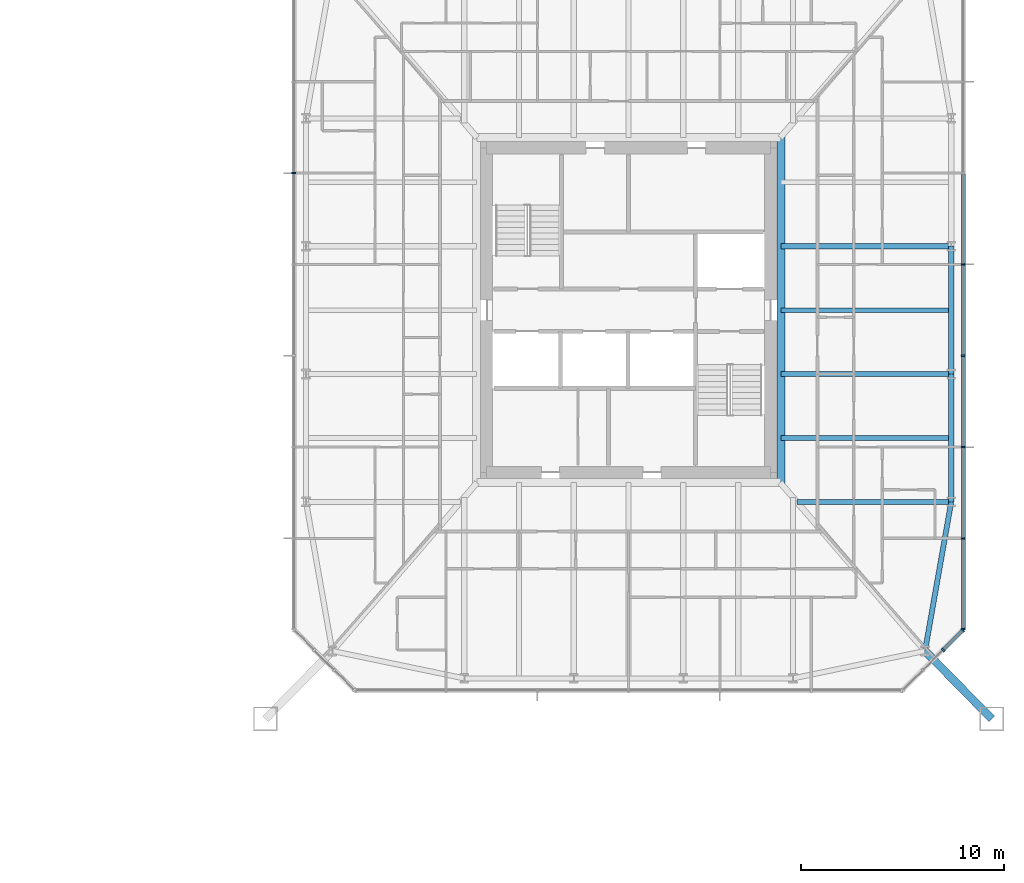
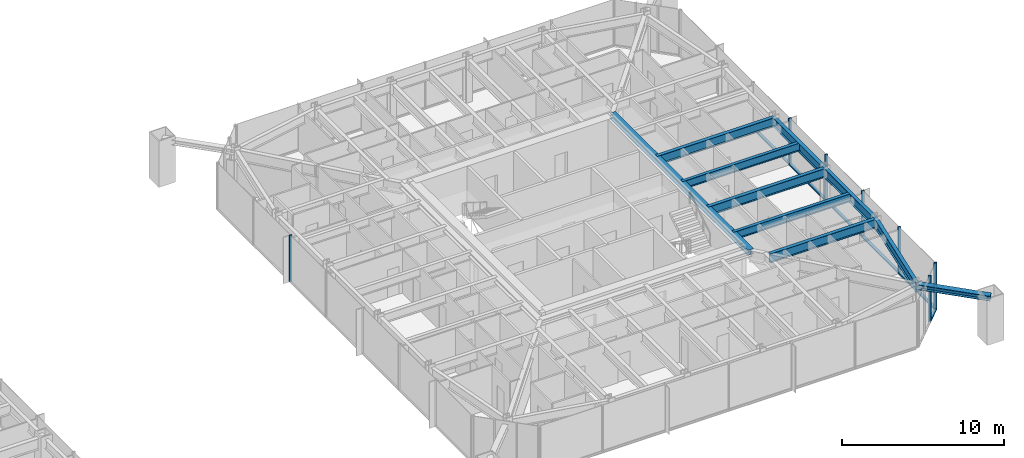
# One storey, part 9 of 26: 15 members, 9 beams, 3 elements without a shape of their own.
"""IFC4 building model written with IfcOpenShell, lengths in metres."""

from ifc_helpers import new_model, si_unit, direction, frame, origin, origin_2d, place, context, subcontext, project, spatial, rectangle, i_section, extrude, material, material_profile, profile_set, type_object, element, aggregate, save


model = new_model("IFC4")

# Units and contexts
model_context = context("Model", 3, precision=1e-05, world=origin(), true_north=direction((0.0, 1.0)))
body_context = subcontext(model_context, "Body", "Model", "MODEL_VIEW")
ifc_project = project(units=[si_unit("LENGTHUNIT", "METRE"), si_unit("AREAUNIT", "SQUARE_METRE"), si_unit("VOLUMEUNIT", "CUBIC_METRE"), si_unit("PLANEANGLEUNIT", "RADIAN"), si_unit("MASSUNIT", "GRAM", prefix="KILO")], contexts=[model_context])

# Site, building, storey
site_placement = place(None, origin())
site = spatial("IfcSite", under=ifc_project, at=site_placement, CompositionType="ELEMENT")
building_placement = place(site_placement, origin())
building = spatial("IfcBuilding", under=site, at=building_placement, Name="Iwan Alto Co-Living Towers", CompositionType="ELEMENT")
storey_placement = place(building_placement, frame((0.0, 0.0, 18.5)))
storey = spatial("IfcBuildingStorey", under=building, at=storey_placement, Name="L04", CompositionType="ELEMENT", Elevation=18.5)

# Curtain wall, members
ifc_material_1 = material(Name="Bronze aluminium unitised frame", Category="aluminium")
curtain_wall_type_1 = type_object("IfcCurtainWallType", Name="CURTAIN WALL CW-C", PredefinedType="NOTDEFINED", material=ifc_material_1)
curtain_wall_1_placement = place(storey_placement, origin())
curtain_wall_1 = element("IfcCurtainWall", 1, at=curtain_wall_1_placement, inside=storey, type_object=curtain_wall_type_1, Name="T2 curtain wall E L04", PredefinedType="NOTDEFINED")
ifc_material_2 = material(Name="Aluminium 6063-T6 bronze anodised", Category="aluminium")
ifc_material_profile_1 = material_profile(ifc_material_2, rectangle(XDim=0.199951171875, YDim=0.080078125, at=origin_2d()), Name="AL 80X200")
ifc_profile_set_1 = profile_set([ifc_material_profile_1], Name="Aluminium 6063-T6 bronze anodised")
member_type_1 = type_object("IfcMemberType", Name="CW-C MULLION 80X200", PredefinedType="MULLION", material=ifc_profile_set_1)
member_1_placement = place(storey_placement, frame((79.5, -15.7099609375, 0.0), z_axis=(0.0, 0.0, 1.0), x_axis=(-1.0, 0.0, 0.0)))
member_1 = element("IfcMember", 2, at=member_1_placement, type_object=member_type_1, Name="CW-C mullion 1", PredefinedType="MULLION", context=body_context, shape_type="SweptSolid", body=[
    extrude(rectangle(XDim=0.199951171875, YDim=0.080078125, at=origin_2d()), origin(), (0.0, 0.0, 1.0), 3.5),
])
member_2_placement = place(storey_placement, frame((79.5, -11.25, 0.0), z_axis=(0.0, 0.0, 1.0), x_axis=(-1.0, 0.0, 0.0)))
member_2 = element("IfcMember", 3, at=member_2_placement, type_object=member_type_1, Name="CW-C mullion 2", PredefinedType="MULLION", context=body_context, shape_type="SweptSolid", body=[
    extrude(rectangle(XDim=0.199951171875, YDim=0.080078125, at=origin_2d()), origin(), (0.0, 0.0, 1.0), 3.5),
])
member_3_placement = place(storey_placement, frame((79.5, -6.75, 0.0), z_axis=(0.0, 0.0, 1.0), x_axis=(-1.0, 0.0, 0.0)))
member_3 = element("IfcMember", 4, at=member_3_placement, type_object=member_type_1, Name="CW-C mullion 3", PredefinedType="MULLION", context=body_context, shape_type="SweptSolid", body=[
    extrude(rectangle(XDim=0.199951171875, YDim=0.080078125, at=origin_2d()), origin(), (0.0, 0.0, 1.0), 3.5),
])
member_4_placement = place(storey_placement, frame((79.5, -2.25, 0.0), z_axis=(0.0, 0.0, 1.0), x_axis=(-1.0, 0.0, 0.0)))
member_4 = element("IfcMember", 5, at=member_4_placement, type_object=member_type_1, Name="CW-C mullion 4", PredefinedType="MULLION", context=body_context, shape_type="SweptSolid", body=[
    extrude(rectangle(XDim=0.199951171875, YDim=0.080078125, at=origin_2d()), origin(), (0.0, 0.0, 1.0), 3.5),
])
member_5_placement = place(storey_placement, frame((79.5, 2.25, 0.0), z_axis=(0.0, 0.0, 1.0), x_axis=(-1.0, 0.0, 0.0)))
member_5 = element("IfcMember", 6, at=member_5_placement, type_object=member_type_1, Name="CW-C mullion 5", PredefinedType="MULLION", context=body_context, shape_type="SweptSolid", body=[
    extrude(rectangle(XDim=0.199951171875, YDim=0.080078125, at=origin_2d()), origin(), (0.0, 0.0, 1.0), 3.5),
])

# Curtain wall, member
curtain_wall_2_placement = place(storey_placement, origin())
curtain_wall_2 = element("IfcCurtainWall", 7, at=curtain_wall_2_placement, inside=storey, type_object=curtain_wall_type_1, Name="T2 curtain wall W L04", PredefinedType="NOTDEFINED")
member_6_placement = place(storey_placement, frame((46.5, 6.75, 0.0), z_axis=(0.0, 0.0, 1.0), x_axis=(1.0, 0.0, 0.0)))
member_6 = element("IfcMember", 8, at=member_6_placement, type_object=member_type_1, Name="CW-C mullion 3", PredefinedType="MULLION", context=body_context, shape_type="SweptSolid", body=[
    extrude(rectangle(XDim=0.199951171875, YDim=0.080078125, at=origin_2d()), origin(), (0.0, 0.0, 1.0), 3.5),
])
aggregate(curtain_wall_2, [member_6])

# Member
ifc_material_3 = material(Name="Aluminium 6063-T6 bronze anodised", Category="aluminium")
ifc_material_profile_2 = material_profile(ifc_material_3, rectangle(XDim=0.199951171875, YDim=0.10009765625, at=origin_2d()), Name="AL 200X100")
ifc_profile_set_2 = profile_set([ifc_material_profile_2], Name="Aluminium 6063-T6 bronze anodised")
member_type_2 = type_object("IfcMemberType", Name="CW-C TRANSOM 200X100", PredefinedType="USERDEFINED", material=ifc_profile_set_2)
member_7_placement = place(storey_placement, frame((79.5, -15.669921875, 0.050048828125), z_axis=(0.0, 1.0, 0.0), x_axis=(-1.0, 0.0, 0.0)))
member_7 = element("IfcMember", 9, at=member_7_placement, type_object=member_type_2, Name="CW-C transom 1.1", ObjectType="TRANSOM", PredefinedType="USERDEFINED", context=body_context, shape_type="SweptSolid", body=[
    extrude(rectangle(XDim=0.199951171875, YDim=0.10009765625, at=origin_2d()), origin(), (0.0, 0.0, 1.0), 4.3798828125),
])

member_8_placement = place(storey_placement, frame((79.5, -11.2099609375, 0.050048828125), z_axis=(0.0, 1.0, 0.0), x_axis=(-1.0, 0.0, 0.0)))
member_8 = element("IfcMember", 10, at=member_8_placement, type_object=member_type_2, Name="CW-C transom 2.1", ObjectType="TRANSOM", PredefinedType="USERDEFINED", context=body_context, shape_type="SweptSolid", body=[
    extrude(rectangle(XDim=0.199951171875, YDim=0.10009765625, at=origin_2d()), origin(), (0.0, 0.0, 1.0), 4.419921875),
])

member_9_placement = place(storey_placement, frame((79.5, -6.7099609375, 0.050048828125), z_axis=(0.0, 1.0, 0.0), x_axis=(-1.0, 0.0, 0.0)))
member_9 = element("IfcMember", 11, at=member_9_placement, type_object=member_type_2, Name="CW-C transom 3.1", ObjectType="TRANSOM", PredefinedType="USERDEFINED", context=body_context, shape_type="SweptSolid", body=[
    extrude(rectangle(XDim=0.199951171875, YDim=0.10009765625, at=origin_2d()), origin(), (0.0, 0.0, 1.0), 4.419921875),
])

member_10_placement = place(storey_placement, frame((79.5, -2.2099609375, 0.050048828125), z_axis=(0.0, 1.0, 0.0), x_axis=(-1.0, 0.0, 0.0)))
member_10 = element("IfcMember", 12, at=member_10_placement, type_object=member_type_2, Name="CW-C transom 4.1", ObjectType="TRANSOM", PredefinedType="USERDEFINED", context=body_context, shape_type="SweptSolid", body=[
    extrude(rectangle(XDim=0.199951171875, YDim=0.10009765625, at=origin_2d()), origin(), (0.0, 0.0, 1.0), 4.419921875),
])

member_11_placement = place(storey_placement, frame((79.5, 2.2900390625, 0.050048828125), z_axis=(0.0, 1.0, 0.0), x_axis=(-1.0, 0.0, 0.0)))
member_11 = element("IfcMember", 13, at=member_11_placement, type_object=member_type_2, Name="CW-C transom 5.1", ObjectType="TRANSOM", PredefinedType="USERDEFINED", context=body_context, shape_type="SweptSolid", body=[
    extrude(rectangle(XDim=0.199951171875, YDim=0.10009765625, at=origin_2d()), origin(), (0.0, 0.0, 1.0), 4.419921875),
])

aggregate(curtain_wall_1, [member_1, member_2, member_3, member_4, member_5, member_7, member_8, member_9, member_10, member_11])

# Curtain wall, members
ifc_material_4 = material(Name="Bronze aluminium unitised frame", Category="aluminium")
curtain_wall_type_2 = type_object("IfcCurtainWallType", Name="CURTAIN WALL CW-D", PredefinedType="NOTDEFINED", material=ifc_material_4)
curtain_wall_3_placement = place(storey_placement, origin())
curtain_wall_3 = element("IfcCurtainWall", 14, at=curtain_wall_3_placement, inside=storey, type_object=curtain_wall_type_2, Name="T2 chamfer curtain wall SE L04", PredefinedType="NOTDEFINED")
ifc_material_5 = material(Name="Aluminium 6063-T6 bronze anodised", Category="aluminium")
ifc_material_profile_3 = material_profile(ifc_material_5, rectangle(XDim=0.199951171875, YDim=0.080078125, at=origin_2d()), Name="AL 80X200")
ifc_profile_set_3 = profile_set([ifc_material_profile_3], Name="Aluminium 6063-T6 bronze anodised")
member_type_3 = type_object("IfcMemberType", Name="CW-D MULLION 80X200", PredefinedType="MULLION", material=ifc_profile_set_3)
member_12_placement = place(storey_placement, frame((78.5, -16.75, 0.0), z_axis=(0.0, 0.0, 1.0), x_axis=(-0.707106781187, 0.707106781187, 0.0)))
member_12 = element("IfcMember", 15, at=member_12_placement, type_object=member_type_3, Name="CW-D mullion 3", PredefinedType="MULLION", context=body_context, shape_type="SweptSolid", body=[
    extrude(rectangle(XDim=0.199951171875, YDim=0.080078125, at=origin_2d()), origin(), (0.0, 0.0, 1.0), 3.5),
])
member_13_placement = place(storey_placement, frame((79.4716796875, -15.7783203125, 0.0), z_axis=(0.0, 0.0, 1.0), x_axis=(-0.707106781187, 0.707106781187, 0.0)))
member_13 = element("IfcMember", 16, at=member_13_placement, type_object=member_type_3, Name="CW-D mullion 4", PredefinedType="MULLION", context=body_context, shape_type="SweptSolid", body=[
    extrude(rectangle(XDim=0.199951171875, YDim=0.080078125, at=origin_2d()), origin(), (0.0, 0.0, 1.0), 3.5),
])
ifc_material_6 = material(Name="Aluminium 6063-T6 bronze anodised", Category="aluminium")
ifc_material_profile_4 = material_profile(ifc_material_6, rectangle(XDim=0.199951171875, YDim=0.10009765625, at=origin_2d()), Name="AL 200X100")
ifc_profile_set_4 = profile_set([ifc_material_profile_4], Name="Aluminium 6063-T6 bronze anodised")
member_type_4 = type_object("IfcMemberType", Name="CW-D TRANSOM 200X100", PredefinedType="USERDEFINED", material=ifc_profile_set_4)
member_14_placement = place(storey_placement, frame((78.5283203125, -16.7216796875, 0.050048828125), z_axis=(0.707106781187, 0.707106781187, 0.0), x_axis=(-0.707106781187, 0.707106781187, 0.0)))
member_14 = element("IfcMember", 17, at=member_14_placement, type_object=member_type_4, Name="CW-D transom 3.1", ObjectType="TRANSOM", PredefinedType="USERDEFINED", context=body_context, shape_type="SweptSolid", body=[
    extrude(rectangle(XDim=0.199951171875, YDim=0.10009765625, at=origin_2d()), origin(), (0.0, 0.0, 1.0), 1.2939453125),
])
aggregate(curtain_wall_3, [member_12, member_13, member_14])

# Beams
ifc_material_7 = material(Name="Steel ASTM A992 Gr 50", Category="steel")
ifc_material_profile_5 = material_profile(ifc_material_7, i_section(OverallWidth=0.40380859375, OverallDepth=0.406494140625, WebThickness=0.027099609375, FlangeThickness=0.043701171875, at=origin_2d()), Name="W14X233")
ifc_profile_set_5 = profile_set([ifc_material_profile_5], Name="Steel ASTM A992 Gr 50")
beam_type_1 = type_object("IfcBeamType", Name="T2 CORE LEDGER BEAM W14X233", PredefinedType="BEAM", material=ifc_profile_set_5)
beam_1_placement = place(storey_placement, frame((70.501953125, -8.534912109375, 3.06689453125), z_axis=(0.0, 1.0, 0.0), x_axis=(-1.0, 0.0, 0.0)))
element("IfcBeam", 18, at=beam_1_placement, inside=storey, type_object=beam_type_1, Name="T2 core ledger beam E L05", PredefinedType="BEAM", context=body_context, shape_type="SweptSolid", body=[
    extrude(i_section(OverallWidth=0.40380859375, OverallDepth=0.406494140625, WebThickness=0.027099609375, FlangeThickness=0.043701171875, at=origin_2d()), origin(), (0.0, 0.0, 1.0), 17.06982421875),
])
ifc_material_8 = material(Name="Steel ASTM A992 Gr 50", Category="steel")
ifc_material_profile_6 = material_profile(ifc_material_8, i_section(OverallWidth=0.25390625, OverallDepth=0.683349609375, WebThickness=0.012451171875, FlangeThickness=0.018798828125, at=origin_2d()), Name="W27X94")
ifc_profile_set_6 = profile_set([ifc_material_profile_6], Name="Steel ASTM A992 Gr 50")
beam_type_2 = type_object("IfcBeamType", Name="T2 EDGE BEAM W27X94", PredefinedType="BEAM", material=ifc_profile_set_6)
beam_2_placement = place(storey_placement, frame((77.606201171875, -16.797119140625, 2.928466796875), z_axis=(0.173413807283, 0.98484905008, 0.0), x_axis=(-0.98484905008, 0.173413807283, 0.0)))
element("IfcBeam", 19, at=beam_2_placement, inside=storey, type_object=beam_type_2, Name="T2 edge beam CSE L05", PredefinedType="BEAM", context=body_context, shape_type="SweptSolid", body=[
    extrude(i_section(OverallWidth=0.25390625, OverallDepth=0.683349609375, WebThickness=0.012451171875, FlangeThickness=0.018798828125, at=origin_2d()), origin(), (0.0, 0.0, 1.0), 7.460205078125),
])
beam_3_placement = place(storey_placement, frame((78.89990234375, -9.449951171875, 2.928466796875), z_axis=(0.0, 1.0, 0.0), x_axis=(-1.0, 0.0, 0.0)))
element("IfcBeam", 20, at=beam_3_placement, inside=storey, type_object=beam_type_2, Name="T2 edge beam E1 L05", PredefinedType="BEAM", context=body_context, shape_type="SweptSolid", body=[
    extrude(i_section(OverallWidth=0.25390625, OverallDepth=0.683349609375, WebThickness=0.012451171875, FlangeThickness=0.018798828125, at=origin_2d()), origin(), (0.0, 0.0, 1.0), 6.300048828125),
])
beam_4_placement = place(storey_placement, frame((78.89990234375, -3.14990234375, 2.928466796875), z_axis=(0.0, 1.0, 0.0), x_axis=(-1.0, 0.0, 0.0)))
element("IfcBeam", 21, at=beam_4_placement, inside=storey, type_object=beam_type_2, Name="T2 edge beam E2 L05", PredefinedType="BEAM", context=body_context, shape_type="SweptSolid", body=[
    extrude(i_section(OverallWidth=0.25390625, OverallDepth=0.683349609375, WebThickness=0.012451171875, FlangeThickness=0.018798828125, at=origin_2d()), origin(), (0.0, 0.0, 1.0), 6.2998046875),
])

# Member
ifc_material_9 = material(Name="Steel ASTM A992 Gr 50", Category="steel")
ifc_material_profile_7 = material_profile(ifc_material_9, i_section(OverallWidth=0.393798828125, OverallDepth=0.3759765625, WebThickness=0.017333984375, FlangeThickness=0.027587890625, at=origin_2d()), Name="W14X145")
ifc_profile_set_7 = profile_set([ifc_material_profile_7], Name="Steel ASTM A992 Gr 50")
member_type_5 = type_object("IfcMemberType", Name="T2 MEGA COLUMN FLOOR TIE W14X145", PredefinedType="STRUT", material=ifc_profile_set_7)
member_15_placement = place(storey_placement, frame((80.89990234375, -20.14990234375, 3.08203125), z_axis=(-0.700793469544, 0.71336422187, 0.0), x_axis=(-0.71336422187, -0.700793469544, 0.0)))
element("IfcMember", 22, at=member_15_placement, inside=storey, type_object=member_type_5, Name="T2 mega column floor tie SE L05", PredefinedType="STRUT", context=body_context, shape_type="SweptSolid", body=[
    extrude(i_section(OverallWidth=0.393798828125, OverallDepth=0.3759765625, WebThickness=0.017333984375, FlangeThickness=0.027587890625, at=origin_2d()), origin(), (0.0, 0.0, 1.0), 4.699951171875),
])

# Beams
ifc_material_10 = material(Name="Steel ASTM A992 Gr 50", Category="steel")
ifc_material_profile_8 = material_profile(ifc_material_10, i_section(OverallWidth=0.25390625, OverallDepth=0.683349609375, WebThickness=0.012451171875, FlangeThickness=0.018798828125, at=origin_2d()), Name="W27X94")
ifc_profile_set_8 = profile_set([ifc_material_profile_8], Name="Steel ASTM A992 Gr 50")
beam_type_3 = type_object("IfcBeamType", Name="T2 RADIAL BEAM W27X94", PredefinedType="BEAM", material=ifc_profile_set_8)
beam_5_placement = place(storey_placement, frame((78.89990234375, -9.449951171875, 2.928466796875), z_axis=(-1.0, 0.0, 0.0), x_axis=(0.0, -1.0, 0.0)))
element("IfcBeam", 23, at=beam_5_placement, inside=storey, type_object=beam_type_3, Name="T2 radial beam E1 L05", PredefinedType="BEAM", context=body_context, shape_type="SweptSolid", body=[
    extrude(i_section(OverallWidth=0.25390625, OverallDepth=0.683349609375, WebThickness=0.012451171875, FlangeThickness=0.018798828125, at=origin_2d()), origin(), (0.0, 0.0, 1.0), 7.611083984375),
])
for number, where, z_axis, x_axis, name in (
    (24, (78.89990234375, -3.14990234375, 2.928466796875), (-1.0, 0.0, 0.0), (0.0, -1.0, 0.0), "T2 radial beam E2 L05"),
    (25, (78.89990234375, 3.14990234375, 2.928466796875), (-1.0, 0.0, 0.0), (0.0, -1.0, 0.0), "T2 radial beam E3 L05"),
):
    element("IfcBeam", number, at=place(storey_placement, frame(where, z_axis=z_axis, x_axis=x_axis)), inside=storey, type_object=beam_type_3, Name=name, PredefinedType="BEAM", context=body_context, shape_type="SweptSolid", body=[
        extrude(i_section(OverallWidth=0.25390625, OverallDepth=0.683349609375, WebThickness=0.012451171875, FlangeThickness=0.018798828125, at=origin_2d()), origin(), (0.0, 0.0, 1.0), 8.39794921875),
    ])
ifc_material_11 = material(Name="Steel ASTM A992 Gr 50", Category="steel")
ifc_material_profile_9 = material_profile(ifc_material_11, i_section(OverallWidth=0.228271484375, OverallDepth=0.607177734375, WebThickness=0.01123046875, FlangeThickness=0.017333984375, at=origin_2d()), Name="W24X76")
ifc_profile_set_9 = profile_set([ifc_material_profile_9], Name="Steel ASTM A992 Gr 50")
beam_type_4 = type_object("IfcBeamType", Name="T2 SECONDARY BEAM W24X76", PredefinedType="JOIST", material=ifc_profile_set_9)
for number, where, z_axis, x_axis, name in (
    (26, (78.89990234375, -6.300048828125, 2.966552734375), (-1.0, 0.0, 0.0), (0.0, -1.0, 0.0), "T2 secondary beam E1 L05"),
    (27, (78.89990234375, 0.0, 2.966552734375), (-1.0, 0.0, 0.0), (0.0, -1.0, 0.0), "T2 secondary beam E2 L05"),
):
    element("IfcBeam", number, at=place(storey_placement, frame(where, z_axis=z_axis, x_axis=x_axis)), inside=storey, type_object=beam_type_4, Name=name, PredefinedType="JOIST", context=body_context, shape_type="SweptSolid", body=[
        extrude(i_section(OverallWidth=0.228271484375, OverallDepth=0.607177734375, WebThickness=0.01123046875, FlangeThickness=0.017333984375, at=origin_2d()), origin(), (0.0, 0.0, 1.0), 8.39794921875),
    ])

save(model, "model.ifc")
